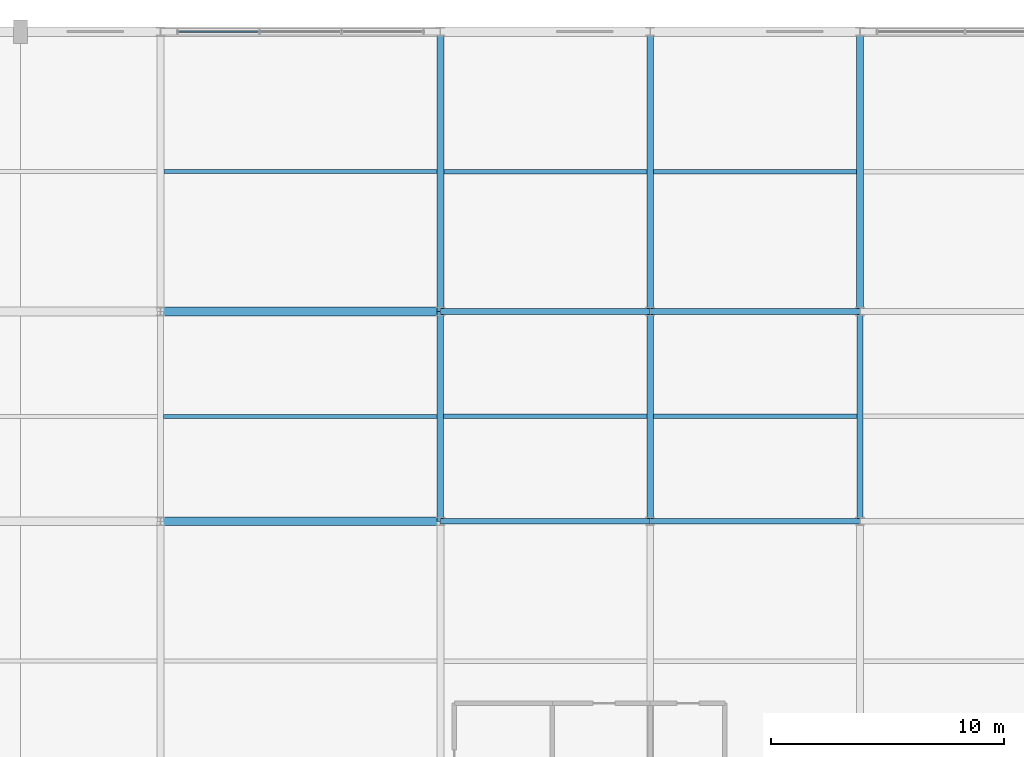
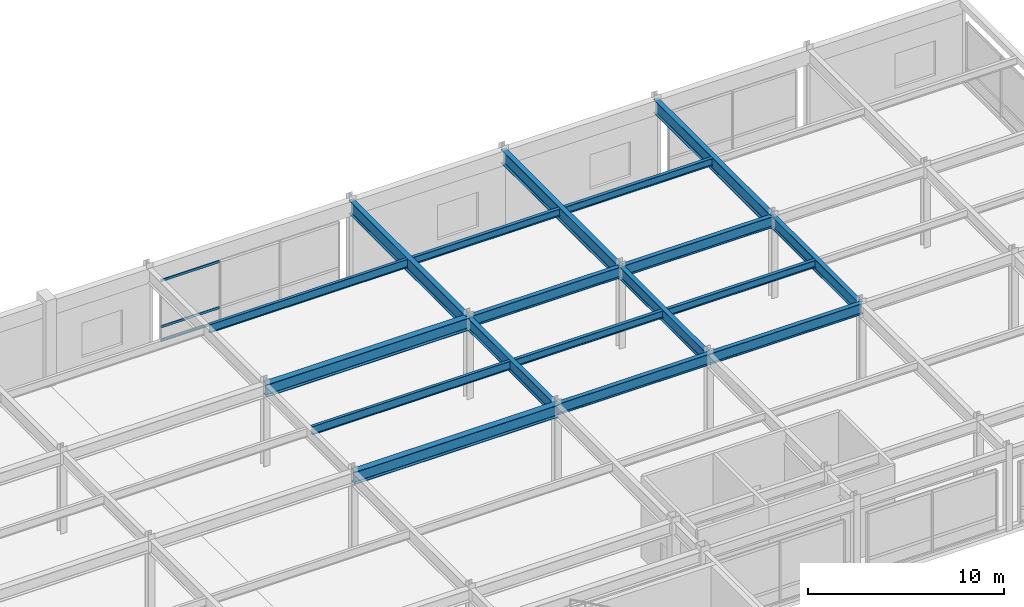
# One storey, part 67 of 100: 18 beams, 3 members, 1 element without a shape of its own.
"""IFC4 building model written with IfcOpenShell, lengths in metres."""

from ifc_helpers import new_model, si_unit, direction, frame, origin, origin_2d, place, context, subcontext, project, spatial, hollow_rectangle, i_section, extrude, material, material_profile, profile_set, type_object, element, aggregate, save


model = new_model("IFC4")

# Units and contexts
model_context = context("Model", 3, precision=1e-05, world=origin(), true_north=direction((0.0, 1.0)))
body_context = subcontext(model_context, "Body", "Model", "MODEL_VIEW")
ifc_project = project(units=[si_unit("LENGTHUNIT", "METRE"), si_unit("AREAUNIT", "SQUARE_METRE"), si_unit("VOLUMEUNIT", "CUBIC_METRE"), si_unit("PLANEANGLEUNIT", "RADIAN"), si_unit("MASSUNIT", "GRAM", prefix="KILO")], contexts=[model_context])

# Site, building, storey
site_placement = place(None, origin())
site = spatial("IfcSite", under=ifc_project, at=site_placement, CompositionType="ELEMENT")
building_placement = place(site_placement, origin())
building = spatial("IfcBuilding", under=site, at=building_placement, Name="Kaldorvane Square Convention Centre", CompositionType="ELEMENT")
storey_placement = place(building_placement, frame((0.0, 0.0, 18.0)))
storey = spatial("IfcBuildingStorey", under=building, at=storey_placement, Name="L03", CompositionType="ELEMENT", Elevation=18.0)

# Beams
ifc_material_1 = material(Name="Steel ASTM A992 Gr. 50", Category="steel")
ifc_material_profile_1 = material_profile(ifc_material_1, i_section(OverallWidth=0.25439453125, OverallDepth=0.6880950927734375, WebThickness=0.0131072998046875, FlangeThickness=0.0211029052734375, FilletRadius=0.01519775390625, at=origin_2d()), Name="W27X102")
ifc_profile_set_1 = profile_set([ifc_material_profile_1], Name="Steel ASTM A992 Gr. 50")
beam_type_1 = type_object("IfcBeamType", Name="BM-GR-W27X102", PredefinedType="BEAM", material=ifc_profile_set_1)
for number, where, z_axis, x_axis, name in (
    (1, (138.0, 96.0, 4.731903076171875), (1.0, 0.0, 0.0), (0.0, 1.0, 0.0), "Primary Girder (L03)"),
    (2, (147.0, 96.0, 4.731903076171875), (1.0, 0.0, 0.0), (0.0, 1.0, 0.0), "Primary Girder (L03)"),
    (3, (138.0, 105.0, 4.731903076171875), (1.0, 0.0, 0.0), (0.0, 1.0, 0.0), "Primary Girder (L03)"),
    (4, (147.0, 105.0, 4.731903076171875), (1.0, 0.0, 0.0), (0.0, 1.0, 0.0), "Primary Girder (L03)"),
):
    element("IfcBeam", number, at=place(storey_placement, frame(where, z_axis=z_axis, x_axis=x_axis)), inside=storey, type_object=beam_type_1, Name=name, PredefinedType="BEAM", context=body_context, shape_type="SweptSolid", body=[
        extrude(i_section(OverallWidth=0.25439453125, OverallDepth=0.6880950927734375, WebThickness=0.0131072998046875, FlangeThickness=0.0211029052734375, FilletRadius=0.01519775390625, at=origin_2d()), origin(), (0.0, 0.0, 1.0), 9.0),
    ])
ifc_material_profile_2 = material_profile(ifc_material_1, i_section(OverallWidth=0.2666015625, OverallDepth=0.762298583984375, WebThickness=0.014404296875, FlangeThickness=0.0216064453125, FilletRadius=0.0164947509765625, at=origin_2d()), Name="W30X116")
ifc_profile_set_2 = profile_set([ifc_material_profile_2], Name="Steel ASTM A992 Gr. 50")
beam_type_2 = type_object("IfcBeamType", Name="BM-GR-W30X116", PredefinedType="BEAM", material=ifc_profile_set_2)
for number, where, z_axis, x_axis, name in (
    (5, (138.0, 96.0, 4.694793701171875), (0.0, 1.0, 0.0), (-1.0, 0.0, 0.0), "Transverse Girder (L03)"),
    (6, (147.0, 96.0, 4.694793701171875), (0.0, 1.0, 0.0), (-1.0, 0.0, 0.0), "Transverse Girder (L03)"),
    (7, (156.0, 96.0, 4.694793701171875), (0.0, 1.0, 0.0), (-1.0, 0.0, 0.0), "Transverse Girder (L03)"),
):
    element("IfcBeam", number, at=place(storey_placement, frame(where, z_axis=z_axis, x_axis=x_axis)), inside=storey, type_object=beam_type_2, Name=name, PredefinedType="BEAM", context=body_context, shape_type="SweptSolid", body=[
        extrude(i_section(OverallWidth=0.2666015625, OverallDepth=0.762298583984375, WebThickness=0.014404296875, FlangeThickness=0.0216064453125, FilletRadius=0.0164947509765625, at=origin_2d()), origin(), (0.0, 0.0, 1.0), 9.0),
    ])
ifc_material_profile_3 = material_profile(ifc_material_1, i_section(OverallWidth=0.380706787109375, OverallDepth=0.773193359375, WebThickness=0.0166015625, FlangeThickness=0.027099609375, FilletRadius=0.0164947509765625, at=origin_2d()), Name="W30X173")
ifc_profile_set_3 = profile_set([ifc_material_profile_3], Name="Steel ASTM A992 Gr. 50")
beam_type_3 = type_object("IfcBeamType", Name="BM-GR-W30X173", PredefinedType="BEAM", material=ifc_profile_set_3)
for number, where, z_axis, x_axis, name in (
    (8, (126.0, 96.0, 4.6894073486328125), (1.0, 0.0, 0.0), (0.0, 1.0, 0.0), "Primary Girder (L03)"),
    (9, (126.0, 105.0, 4.6894073486328125), (1.0, 0.0, 0.0), (0.0, 1.0, 0.0), "Primary Girder (L03)"),
):
    element("IfcBeam", number, at=place(storey_placement, frame(where, z_axis=z_axis, x_axis=x_axis)), inside=storey, type_object=beam_type_3, Name=name, PredefinedType="BEAM", context=body_context, shape_type="SweptSolid", body=[
        extrude(i_section(OverallWidth=0.380706787109375, OverallDepth=0.773193359375, WebThickness=0.0166015625, FlangeThickness=0.027099609375, FilletRadius=0.0164947509765625, at=origin_2d()), origin(), (0.0, 0.0, 1.0), 12.0),
    ])
ifc_material_profile_4 = material_profile(ifc_material_1, i_section(OverallWidth=0.292999267578125, OverallDepth=0.845794677734375, WebThickness=0.0153961181640625, FlangeThickness=0.0243988037109375, FilletRadius=0.0178070068359375, at=origin_2d()), Name="W33X141")
ifc_profile_set_4 = profile_set([ifc_material_profile_4], Name="Steel ASTM A992 Gr. 50")
beam_type_4 = type_object("IfcBeamType", Name="BM-GR-W33X141", PredefinedType="BEAM", material=ifc_profile_set_4)
for number, where, z_axis, x_axis, name in (
    (10, (138.0, 105.0, 4.653106689453125), (0.0, 1.0, 0.0), (-1.0, 0.0, 0.0), "Transverse Girder (L03)"),
    (11, (147.0, 105.0, 4.653106689453125), (0.0, 1.0, 0.0), (-1.0, 0.0, 0.0), "Transverse Girder (L03)"),
    (12, (156.0, 105.0, 4.653106689453125), (0.0, 1.0, 0.0), (-1.0, 0.0, 0.0), "Transverse Girder (L03)"),
):
    element("IfcBeam", number, at=place(storey_placement, frame(where, z_axis=z_axis, x_axis=x_axis)), inside=storey, type_object=beam_type_4, Name=name, PredefinedType="BEAM", context=body_context, shape_type="SweptSolid", body=[
        extrude(i_section(OverallWidth=0.292999267578125, OverallDepth=0.845794677734375, WebThickness=0.0153961181640625, FlangeThickness=0.0243988037109375, FilletRadius=0.0178070068359375, at=origin_2d()), origin(), (0.0, 0.0, 1.0), 12.0),
    ])
ifc_material_profile_5 = material_profile(ifc_material_1, i_section(OverallWidth=0.1912994384765625, OverallDepth=0.4600067138671875, WebThickness=0.0099029541015625, FlangeThickness=0.0160064697265625, FilletRadius=0.01019287109375, at=origin_2d()), Name="W18X55")
ifc_profile_set_5 = profile_set([ifc_material_profile_5], Name="Steel ASTM A992 Gr. 50")
beam_type_5 = type_object("IfcBeamType", Name="BM-JS-W18X55", PredefinedType="JOIST", material=ifc_profile_set_5)
for number, where, z_axis, x_axis, name in (
    (13, (138.13330078125, 100.5, 4.8459930419921875), (1.0, 0.0, 0.0), (0.0, 1.0, 0.0), "Secondary Floor Joist (L03)"),
    (14, (147.13330078125, 100.5, 4.8459930419921875), (1.0, 0.0, 0.0), (0.0, 1.0, 0.0), "Secondary Floor Joist (L03)"),
):
    element("IfcBeam", number, at=place(storey_placement, frame(where, z_axis=z_axis, x_axis=x_axis)), inside=storey, type_object=beam_type_5, Name=name, PredefinedType="JOIST", context=body_context, shape_type="SweptSolid", body=[
        extrude(i_section(OverallWidth=0.1912994384765625, OverallDepth=0.4600067138671875, WebThickness=0.0099029541015625, FlangeThickness=0.0160064697265625, FilletRadius=0.01019287109375, at=origin_2d()), origin(), (0.0, 0.0, 1.0), 8.7333984375),
    ])
for number, where, z_axis, x_axis, name in (
    (15, (138.14649963378906, 111.0, 4.8459930419921875), (1.0, 0.0, 0.0), (0.0, 1.0, 0.0), "Secondary Floor Joist (L03)"),
    (16, (147.14649963378906, 111.0, 4.8459930419921875), (1.0, 0.0, 0.0), (0.0, 1.0, 0.0), "Secondary Floor Joist (L03)"),
):
    element("IfcBeam", number, at=place(storey_placement, frame(where, z_axis=z_axis, x_axis=x_axis)), inside=storey, type_object=beam_type_5, Name=name, PredefinedType="JOIST", context=body_context, shape_type="SweptSolid", body=[
        extrude(i_section(OverallWidth=0.1912994384765625, OverallDepth=0.4600067138671875, WebThickness=0.0099029541015625, FlangeThickness=0.0160064697265625, FilletRadius=0.01019287109375, at=origin_2d()), origin(), (0.0, 0.0, 1.0), 8.707000732421875),
    ])
ifc_material_profile_6 = material_profile(ifc_material_1, i_section(OverallWidth=0.1658935546875, OverallDepth=0.5290985107421875, WebThickness=0.00970458984375, FlangeThickness=0.0135955810546875, FilletRadius=0.0126953125, at=origin_2d()), Name="W21X50")
ifc_profile_set_6 = profile_set([ifc_material_profile_6], Name="Steel ASTM A992 Gr. 50")
beam_type_6 = type_object("IfcBeamType", Name="BM-JS-W21X50", PredefinedType="JOIST", material=ifc_profile_set_6)
beam_1_placement = place(storey_placement, frame((126.13330078125, 100.5, 4.8114013671875), z_axis=(1.0, 0.0, 0.0), x_axis=(0.0, 1.0, 0.0)))
element("IfcBeam", 17, at=beam_1_placement, inside=storey, type_object=beam_type_6, Name="Secondary Floor Joist (L03)", PredefinedType="JOIST", context=body_context, shape_type="SweptSolid", body=[
    extrude(i_section(OverallWidth=0.1658935546875, OverallDepth=0.5290985107421875, WebThickness=0.00970458984375, FlangeThickness=0.0135955810546875, FilletRadius=0.0126953125, at=origin_2d()), origin(), (0.0, 0.0, 1.0), 11.7333984375),
])
beam_2_placement = place(storey_placement, frame((126.14649963378906, 111.0, 4.8114013671875), z_axis=(1.0, 0.0, 0.0), x_axis=(0.0, 1.0, 0.0)))
element("IfcBeam", 18, at=beam_2_placement, inside=storey, type_object=beam_type_6, Name="Secondary Floor Joist (L03)", PredefinedType="JOIST", context=body_context, shape_type="SweptSolid", body=[
    extrude(i_section(OverallWidth=0.1658935546875, OverallDepth=0.5290985107421875, WebThickness=0.00970458984375, FlangeThickness=0.0135955810546875, FilletRadius=0.0126953125, at=origin_2d()), origin(), (0.0, 0.0, 1.0), 11.707000732421875),
])

# Curtain wall, members
ifc_material_2 = material(Name="Anodized Aluminum and Low-E Insulated Glazing", Category="aluminium")
curtain_wall_type = type_object("IfcCurtainWallType", Name="CW-UNI-P54-09", PredefinedType="USERDEFINED", material=ifc_material_2)
curtain_wall_placement = place(storey_placement, origin())
curtain_wall = element("IfcCurtainWall", 19, at=curtain_wall_placement, inside=storey, type_object=curtain_wall_type, Name="Curtain Wall CW-04 (L03)", ObjectType="UNITISED GLAZING", PredefinedType="USERDEFINED")
ifc_material_profile_7 = material_profile(ifc_material_2, hollow_rectangle(XDim=0.05999755859375, YDim=0.149993896484375, WallThickness=0.003204345703125, at=origin_2d()), Name="CWT-150X60")
ifc_profile_set_7 = profile_set([ifc_material_profile_7], Name="Anodized Aluminum and Low-E Insulated Glazing")
member_type = type_object("IfcMemberType", Name="CW-TRN-150", PredefinedType="USERDEFINED", material=ifc_profile_set_7)
member_1_placement = place(storey_placement, frame((130.20083618164062, 117.0, 0.17999267578125), z_axis=(-1.0, 0.0, 0.0), x_axis=(0.0, -1.0, 0.0)))
member_1 = element("IfcMember", 20, at=member_1_placement, type_object=member_type, Name="CW-04 transom 3.1", ObjectType="TRANSOM", PredefinedType="USERDEFINED", context=body_context, shape_type="SweptSolid", body=[
    extrude(hollow_rectangle(XDim=0.05999755859375, YDim=0.149993896484375, WallThickness=0.003204345703125, at=origin_2d()), origin(), (0.0, 0.0, 1.0), 3.4358367919921875),
])
member_2_placement = place(storey_placement, frame((130.20083618164062, 117.0, 1.0500030517578125), z_axis=(-1.0, 0.0, 0.0), x_axis=(0.0, -1.0, 0.0)))
member_2 = element("IfcMember", 21, at=member_2_placement, type_object=member_type, Name="CW-04 transom 3.2", ObjectType="TRANSOM", PredefinedType="USERDEFINED", context=body_context, shape_type="SweptSolid", body=[
    extrude(hollow_rectangle(XDim=0.05999755859375, YDim=0.149993896484375, WallThickness=0.003204345703125, at=origin_2d()), origin(), (0.0, 0.0, 1.0), 3.4358367919921875),
])
member_3_placement = place(storey_placement, frame((130.20083618164062, 117.0, 3.92999267578125), z_axis=(-1.0, 0.0, 0.0), x_axis=(0.0, -1.0, 0.0)))
member_3 = element("IfcMember", 22, at=member_3_placement, type_object=member_type, Name="CW-04 transom 3.3", ObjectType="TRANSOM", PredefinedType="USERDEFINED", context=body_context, shape_type="SweptSolid", body=[
    extrude(hollow_rectangle(XDim=0.05999755859375, YDim=0.149993896484375, WallThickness=0.003204345703125, at=origin_2d()), origin(), (0.0, 0.0, 1.0), 3.4358367919921875),
])
aggregate(curtain_wall, [member_1, member_2, member_3])

save(model, "model.ifc")
